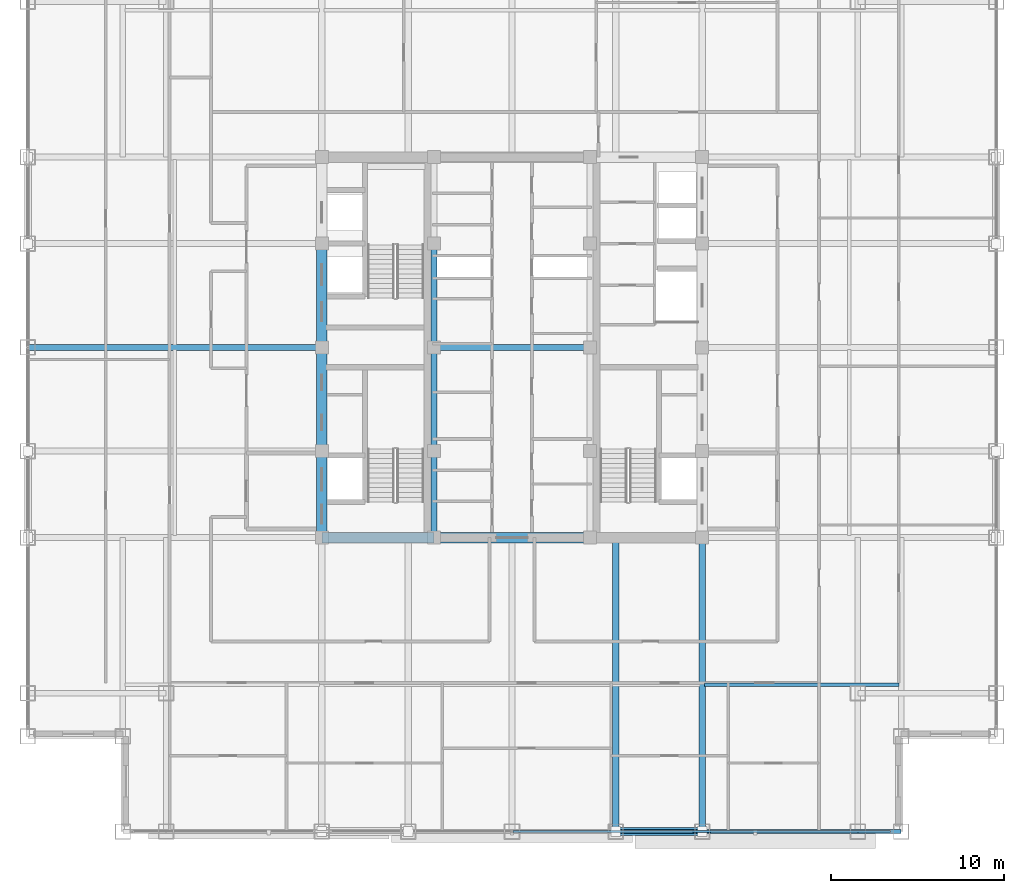
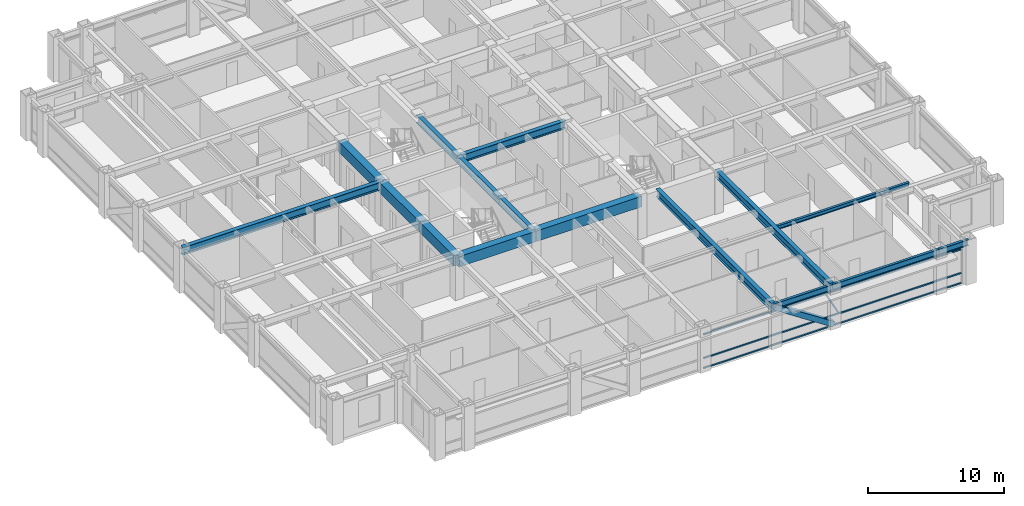
# One storey, part 7 of 27: 16 beams, 5 members, 1 element without a shape of its own.
"""IFC4 building model written with IfcOpenShell, lengths in metres."""

from ifc_helpers import new_model, si_unit, direction, frame, origin, origin_2d, place, context, subcontext, project, spatial, rectangle, hollow_rectangle, i_section, extrude, source, transform, mapped, material, material_profile, profile_set, type_object, element, aggregate, save


model = new_model("IFC4")

# Units and contexts
model_context = context("Model", 3, precision=1e-05, world=origin(), true_north=direction((0.0, 1.0)))
body_context = subcontext(model_context, "Body", "Model", "MODEL_VIEW")
ifc_project = project(units=[si_unit("LENGTHUNIT", "METRE"), si_unit("AREAUNIT", "SQUARE_METRE"), si_unit("VOLUMEUNIT", "CUBIC_METRE"), si_unit("PLANEANGLEUNIT", "RADIAN"), si_unit("MASSUNIT", "GRAM", prefix="KILO")], contexts=[model_context])

# Site, building, storey
site_placement = place(None, origin())
site = spatial("IfcSite", under=ifc_project, at=site_placement, CompositionType="ELEMENT")
building_placement = place(site_placement, origin())
building = spatial("IfcBuilding", under=site, at=building_placement, Name="Khorayat Bourse Tower", CompositionType="ELEMENT")
storey_placement = place(building_placement, frame((0.0, 0.0, 281.5)))
storey = spatial("IfcBuildingStorey", under=building, at=storey_placement, Name="L66", CompositionType="ELEMENT", Elevation=281.5)

# Beams
ifc_material_1 = material(Name="Steel ASTM A992 Grade 50", Category="steel")
ifc_material_profile_1 = material_profile(ifc_material_1, i_section(OverallWidth=0.35498046875, OverallDepth=0.695068359375, WebThickness=0.015380859375, FlangeThickness=0.02490234375, FilletRadius=0.01806640625, at=origin_2d()), Name="W690X217")
ifc_profile_set_1 = profile_set([ifc_material_profile_1], Name="Steel ASTM A992 Grade 50")
beam_type_1 = type_object("IfcBeamType", Name="BM-GIRD-690", PredefinedType="BEAM", material=ifc_profile_set_1)
shared_shape_1 = source(origin(), body_context, "Body", "SweptSolid", [
    extrude(i_section(OverallWidth=0.35498046875, OverallDepth=0.695068359375, WebThickness=0.015380859375, FlangeThickness=0.02490234375, FilletRadius=0.01806640625, at=origin_2d()), origin(), (0.0, 0.0, 1.0), 5.0),
])
beam_1_placement = place(storey_placement, frame((-4.5, -11.0, 3.4326171875), z_axis=(0.0, 1.0, 0.0), x_axis=(-1.0, 0.0, 0.0)))
element("IfcBeam", 1, at=beam_1_placement, inside=storey, type_object=beam_type_1, Name="L66 BM-GIRD-690 BM-L66-CRX-05", PredefinedType="BEAM", context=body_context, shape_type="MappedRepresentation", body=[
    mapped(shared_shape_1, transform((0.0, 0.0, 0.0), scale=1.0)),
])
shared_shape_2 = source(origin(), body_context, "Body", "SweptSolid", [
    extrude(i_section(OverallWidth=0.35498046875, OverallDepth=0.695068359375, WebThickness=0.015380859375, FlangeThickness=0.02490234375, FilletRadius=0.01806640625, at=origin_2d()), origin(), (0.0, 0.0, 1.0), 6.0),
])
for number, where, z_axis, x_axis, name in (
    (2, (-4.5, -6.0, 3.4326171875), (0.0, 1.0, 0.0), (-1.0, 0.0, 0.0), "L66 BM-GIRD-690 BM-L66-CRX-06"),
    (3, (-4.5, 0.0, 3.4326171875), (0.0, 1.0, 0.0), (-1.0, 0.0, 0.0), "L66 BM-GIRD-690 BM-L66-CRX-07"),
):
    element("IfcBeam", number, at=place(storey_placement, frame(where, z_axis=z_axis, x_axis=x_axis)), inside=storey, type_object=beam_type_1, Name=name, PredefinedType="BEAM", context=body_context, shape_type="MappedRepresentation", body=[
        mapped(shared_shape_2, transform((0.0, 0.0, 0.0), scale=1.0)),
    ])
shared_shape_3 = source(origin(), body_context, "Body", "SweptSolid", [
    extrude(i_section(OverallWidth=0.35498046875, OverallDepth=0.695068359375, WebThickness=0.015380859375, FlangeThickness=0.02490234375, FilletRadius=0.01806640625, at=origin_2d()), origin(), (0.0, 0.0, 1.0), 9.0),
])
beam_2_placement = place(storey_placement, frame((-4.5, 0.0, 3.4326171875), z_axis=(1.0, 0.0, 0.0), x_axis=(0.0, 1.0, 0.0)))
element("IfcBeam", 4, at=beam_2_placement, inside=storey, type_object=beam_type_1, Name="L66 BM-GIRD-690 BM-L66-CRY-23", PredefinedType="BEAM", context=body_context, shape_type="MappedRepresentation", body=[
    mapped(shared_shape_3, transform((0.0, 0.0, 0.0), scale=1.0)),
])
ifc_material_2 = material(Name="Concrete C60/75", Category="concrete")
ifc_material_profile_2 = material_profile(ifc_material_2, rectangle(XDim=0.60009765625, YDim=0.949951171875, at=origin_2d()), Name="RC 600x950")
ifc_profile_set_2 = profile_set([ifc_material_profile_2], Name="Concrete C60/75")
beam_type_2 = type_object("IfcBeamType", Name="BM-COUP-950", PredefinedType="BEAM", material=ifc_profile_set_2)
shared_shape_4 = source(origin(), body_context, "Body", "SweptSolid", [
    extrude(rectangle(XDim=0.60009765625, YDim=0.949951171875, at=origin_2d()), origin(), (0.0, 0.0, 1.0), 5.0),
])
beam_3_placement = place(storey_placement, frame((-11.0, -11.0, 3.304931640625), z_axis=(0.0, 1.0, 0.0), x_axis=(-1.0, 0.0, 0.0)))
element("IfcBeam", 5, at=beam_3_placement, inside=storey, type_object=beam_type_2, Name="L66 BM-COUP-950 BM-L66-CRX-01", PredefinedType="BEAM", context=body_context, shape_type="MappedRepresentation", body=[
    mapped(shared_shape_4, transform((0.0, 0.0, 0.0), scale=1.0)),
])
shared_shape_5 = source(origin(), body_context, "Body", "SweptSolid", [
    extrude(rectangle(XDim=0.60009765625, YDim=0.949951171875, at=origin_2d()), origin(), (0.0, 0.0, 1.0), 6.0),
])
for number, where, z_axis, x_axis, name in (
    (6, (-11.0, -6.0, 3.304931640625), (0.0, 1.0, 0.0), (-1.0, 0.0, 0.0), "L66 BM-COUP-950 BM-L66-CRX-02"),
    (7, (-11.0, 0.0, 3.304931640625), (0.0, 1.0, 0.0), (-1.0, 0.0, 0.0), "L66 BM-COUP-950 BM-L66-CRX-03"),
):
    element("IfcBeam", number, at=place(storey_placement, frame(where, z_axis=z_axis, x_axis=x_axis)), inside=storey, type_object=beam_type_2, Name=name, PredefinedType="BEAM", context=body_context, shape_type="MappedRepresentation", body=[
        mapped(shared_shape_5, transform((0.0, 0.0, 0.0), scale=1.0)),
    ])
shared_shape_6 = source(origin(), body_context, "Body", "SweptSolid", [
    extrude(rectangle(XDim=0.60009765625, YDim=0.949951171875, at=origin_2d()), origin(), (0.0, 0.0, 1.0), 6.5),
])
beam_4_placement = place(storey_placement, frame((-11.0, -11.0, 3.304931640625), z_axis=(1.0, 0.0, 0.0), x_axis=(0.0, 1.0, 0.0)))
element("IfcBeam", 8, at=beam_4_placement, inside=storey, type_object=beam_type_2, Name="L66 BM-COUP-950 BM-L66-CRY-17", PredefinedType="BEAM", context=body_context, shape_type="MappedRepresentation", body=[
    mapped(shared_shape_6, transform((0.0, 0.0, 0.0), scale=1.0)),
])
shared_shape_7 = source(origin(), body_context, "Body", "SweptSolid", [
    extrude(rectangle(XDim=0.60009765625, YDim=0.949951171875, at=origin_2d()), origin(), (0.0, 0.0, 1.0), 9.0),
])
beam_5_placement = place(storey_placement, frame((-4.5, -11.0, 3.304931640625), z_axis=(1.0, 0.0, 0.0), x_axis=(0.0, 1.0, 0.0)))
element("IfcBeam", 9, at=beam_5_placement, inside=storey, type_object=beam_type_2, Name="L66 BM-COUP-950 BM-L66-CRY-18", PredefinedType="BEAM", context=body_context, shape_type="MappedRepresentation", body=[
    mapped(shared_shape_7, transform((0.0, 0.0, 0.0), scale=1.0)),
])

# Member
ifc_material_3 = material(Name="Steel EN 10025-4 S460M", Category="steel")
ifc_material_profile_3 = material_profile(ifc_material_3, hollow_rectangle(XDim=0.449951171875, YDim=0.449951171875, WallThickness=0.02490234375, at=origin_2d()), Name="HSS 450x450x25")
ifc_profile_set_3 = profile_set([ifc_material_profile_3], Name="Steel EN 10025-4 S460M")
member_type_1 = type_object("IfcMemberType", Name="MBR-TUBE-450", PredefinedType="BRACE", material=ifc_profile_set_3)
shared_shape_8 = source(origin(), body_context, "Body", "SweptSolid", [
    extrude(hollow_rectangle(XDim=0.449951171875, YDim=0.449951171875, WallThickness=0.02490234375, at=origin_2d()), origin(), (0.0, 0.0, 1.0), 5.979736328125),
])
member_1_placement = place(storey_placement, frame((6.0, -28.0, 3.530029296875), z_axis=(0.836141536525, 0.0, -0.548513747227), x_axis=(0.0, 1.0, 0.0)))
element("IfcMember", 10, at=member_1_placement, inside=storey, type_object=member_type_1, Name="L66 Perimeter Tube Brace 02", PredefinedType="BRACE", context=body_context, shape_type="MappedRepresentation", body=[
    mapped(shared_shape_8, transform((0.0, 0.0, 0.0), scale=1.0)),
])

# Beams
shared_shape_9 = source(origin(), body_context, "Body", "SweptSolid", [
    extrude(i_section(OverallWidth=0.35498046875, OverallDepth=0.695068359375, WebThickness=0.015380859375, FlangeThickness=0.02490234375, FilletRadius=0.01806640625, at=origin_2d()), origin(), (0.0, 0.0, 1.0), 17.0),
])
for number, where, z_axis, x_axis, name in (
    (11, (6.0, -28.0, 3.4326171875), (0.0, 1.0, 0.0), (-1.0, 0.0, 0.0), "L66 BM-GIRD-690 BM-L66-RADY-071"),
    (12, (11.0, -28.0, 3.4326171875), (0.0, 1.0, 0.0), (-1.0, 0.0, 0.0), "L66 BM-GIRD-690 BM-L66-RADY-073"),
    (13, (-28.0, 0.0, 3.4326171875), (1.0, 0.0, 0.0), (0.0, 1.0, 0.0), "L66 BM-GIRD-690 BM-L66-RADX-079"),
):
    element("IfcBeam", number, at=place(storey_placement, frame(where, z_axis=z_axis, x_axis=x_axis)), inside=storey, type_object=beam_type_1, Name=name, PredefinedType="BEAM", context=body_context, shape_type="MappedRepresentation", body=[
        mapped(shared_shape_9, transform((0.0, 0.0, 0.0), scale=1.0)),
    ])
ifc_material_profile_4 = material_profile(ifc_material_1, i_section(OverallWidth=0.202880859375, OverallDepth=0.346923828125, WebThickness=0.0078125, FlangeThickness=0.013427734375, FilletRadius=0.010009765625, at=origin_2d()), Name="W360X64")
ifc_profile_set_4 = profile_set([ifc_material_profile_4], Name="Steel ASTM A992 Grade 50")
beam_type_3 = type_object("IfcBeamType", Name="BM-JOIST-360", PredefinedType="JOIST", material=ifc_profile_set_4)
shared_shape_10 = source(origin(), body_context, "Body", "SweptSolid", [
    extrude(i_section(OverallWidth=0.202880859375, OverallDepth=0.346923828125, WebThickness=0.0078125, FlangeThickness=0.013427734375, FilletRadius=0.010009765625, at=origin_2d()), origin(), (0.0, 0.0, 1.0), 11.240234375),
])
beam_6_placement = place(storey_placement, frame((11.1298828125, -19.5, 3.6064453125), z_axis=(1.0, 0.0, 0.0), x_axis=(0.0, 1.0, 0.0)))
element("IfcBeam", 14, at=beam_6_placement, inside=storey, type_object=beam_type_3, Name="L66 BM-JOIST-360 BM-L66-JSTX-098", PredefinedType="JOIST", context=body_context, shape_type="MappedRepresentation", body=[
    mapped(shared_shape_10, transform((0.0, 0.0, 0.0), scale=1.0)),
])
ifc_material_profile_5 = material_profile(ifc_material_1, i_section(OverallWidth=0.214111328125, OverallDepth=0.549072265625, WebThickness=0.0146484375, FlangeThickness=0.023681640625, FilletRadius=0.013916015625, at=origin_2d()), Name="W530X138")
ifc_profile_set_5 = profile_set([ifc_material_profile_5], Name="Steel ASTM A992 Grade 50")
beam_type_4 = type_object("IfcBeamType", Name="BM-SPAN-530", PredefinedType="SPANDREL", material=ifc_profile_set_5)
shared_shape_11 = source(origin(), body_context, "Body", "SweptSolid", [
    extrude(i_section(OverallWidth=0.214111328125, OverallDepth=0.549072265625, WebThickness=0.0146484375, FlangeThickness=0.023681640625, FilletRadius=0.013916015625, at=origin_2d()), origin(), (0.0, 0.0, 1.0), 2.5),
])
beam_7_placement = place(storey_placement, frame((20.0, -28.0, 3.505615234375), z_axis=(1.0, 0.0, 0.0), x_axis=(0.0, 1.0, 0.0)))
element("IfcBeam", 15, at=beam_7_placement, inside=storey, type_object=beam_type_4, Name="L66 BM-SPAN-530 BM-L66-SPN-031", PredefinedType="SPANDREL", context=body_context, shape_type="MappedRepresentation", body=[
    mapped(shared_shape_11, transform((0.0, 0.0, 0.0), scale=1.0)),
])
shared_shape_12 = source(origin(), body_context, "Body", "SweptSolid", [
    extrude(i_section(OverallWidth=0.214111328125, OverallDepth=0.549072265625, WebThickness=0.0146484375, FlangeThickness=0.023681640625, FilletRadius=0.013916015625, at=origin_2d()), origin(), (0.0, 0.0, 1.0), 9.0),
])
beam_8_placement = place(storey_placement, frame((11.0, -28.0, 3.505615234375), z_axis=(1.0, 0.0, 0.0), x_axis=(0.0, 1.0, 0.0)))
element("IfcBeam", 16, at=beam_8_placement, inside=storey, type_object=beam_type_4, Name="L66 BM-SPAN-530 BM-L66-SPN-030", PredefinedType="SPANDREL", context=body_context, shape_type="MappedRepresentation", body=[
    mapped(shared_shape_12, transform((0.0, 0.0, 0.0), scale=1.0)),
])
shared_shape_13 = source(origin(), body_context, "Body", "SweptSolid", [
    extrude(i_section(OverallWidth=0.214111328125, OverallDepth=0.549072265625, WebThickness=0.0146484375, FlangeThickness=0.023681640625, FilletRadius=0.013916015625, at=origin_2d()), origin(), (0.0, 0.0, 1.0), 5.0),
])
beam_9_placement = place(storey_placement, frame((6.0, -28.0, 3.505615234375), z_axis=(1.0, 0.0, 0.0), x_axis=(0.0, 1.0, 0.0)))
element("IfcBeam", 17, at=beam_9_placement, inside=storey, type_object=beam_type_4, Name="L66 BM-SPAN-530 BM-L66-SPN-029", PredefinedType="SPANDREL", context=body_context, shape_type="MappedRepresentation", body=[
    mapped(shared_shape_13, transform((0.0, 0.0, 0.0), scale=1.0)),
])

# Curtain wall, members
ifc_material_4 = material(Name="Aluminium EN AW-6063 T6", Category="aluminium")
curtain_wall_type = type_object("IfcCurtainWallType", Name="CW-SYS-04", PredefinedType="NOTDEFINED", material=ifc_material_4)
curtain_wall_placement = place(storey_placement, origin())
curtain_wall = element("IfcCurtainWall", 18, at=curtain_wall_placement, inside=storey, type_object=curtain_wall_type, Name="L66 Curtain Wall CW-L66-S1", PredefinedType="NOTDEFINED")
ifc_material_profile_6 = material_profile(ifc_material_4, hollow_rectangle(XDim=0.1201171875, YDim=0.1201171875, WallThickness=0.0048828125, at=origin_2d()), Name="ALU 120x120x5")
ifc_profile_set_6 = profile_set([ifc_material_profile_6], Name="Aluminium EN AW-6063 T6")
member_type_2 = type_object("IfcMemberType", Name="CWM-DIAG-120", PredefinedType="MULLION", material=ifc_profile_set_6)
shared_shape_14 = source(origin(), body_context, "Body", "SweptSolid", [
    extrude(hollow_rectangle(XDim=0.1201171875, YDim=0.1201171875, WallThickness=0.0048828125, at=origin_2d()), origin(), (0.0, 0.0, 1.0), 2.0791015625),
])
member_2_placement = place(storey_placement, frame((11.4541015625, -28.0, 1.090087890625), z_axis=(-0.465717394116, 0.0, 0.884933505309), x_axis=(0.0, -1.0, 0.0)))
member_2 = element("IfcMember", 19, at=member_2_placement, type_object=member_type_2, Name="CW-L66-S1 Faceted Diagonal Mullion 2", PredefinedType="MULLION", context=body_context, shape_type="MappedRepresentation", body=[
    mapped(shared_shape_14, transform((0.0, 0.0, 0.0), scale=1.0)),
])
ifc_material_profile_7 = material_profile(ifc_material_4, hollow_rectangle(XDim=0.1201171875, YDim=0.1201171875, WallThickness=0.0048828125, at=origin_2d()), Name="ALU 120x120x5")
ifc_profile_set_7 = profile_set([ifc_material_profile_7], Name="Aluminium EN AW-6063 T6")
member_type_3 = type_object("IfcMemberType", Name="CWT-HORZ-120", PredefinedType="USERDEFINED", material=ifc_profile_set_7)
shared_shape_15 = source(origin(), body_context, "Body", "SweptSolid", [
    extrude(hollow_rectangle(XDim=0.1201171875, YDim=0.1201171875, WallThickness=0.0048828125, at=origin_2d()), origin(), (0.0, 0.0, 1.0), 21.81982421875),
])
member_3_placement = place(storey_placement, frame((0.06005859375, -28.0, 0.06005859375), z_axis=(1.0, 0.0, 0.0), x_axis=(0.0, 1.0, 0.0)))
member_3 = element("IfcMember", 20, at=member_3_placement, type_object=member_type_3, Name="CW-L66-S1 Horizontal Transom 2-1", ObjectType="TRANSOM", PredefinedType="USERDEFINED", context=body_context, shape_type="MappedRepresentation", body=[
    mapped(shared_shape_15, transform((0.0, 0.0, 0.0), scale=1.0)),
])
member_4_placement = place(storey_placement, frame((0.06005859375, -28.0, 0.949951171875), z_axis=(1.0, 0.0, 0.0), x_axis=(0.0, 1.0, 0.0)))
member_4 = element("IfcMember", 21, at=member_4_placement, type_object=member_type_3, Name="CW-L66-S1 Horizontal Transom 2-2", ObjectType="TRANSOM", PredefinedType="USERDEFINED", context=body_context, shape_type="MappedRepresentation", body=[
    mapped(shared_shape_15, transform((0.0, 0.0, 0.0), scale=1.0)),
])
member_5_placement = place(storey_placement, frame((0.06005859375, -28.0, 3.070068359375), z_axis=(1.0, 0.0, 0.0), x_axis=(0.0, 1.0, 0.0)))
member_5 = element("IfcMember", 22, at=member_5_placement, type_object=member_type_3, Name="CW-L66-S1 Horizontal Transom 2-3", ObjectType="TRANSOM", PredefinedType="USERDEFINED", context=body_context, shape_type="MappedRepresentation", body=[
    mapped(shared_shape_15, transform((0.0, 0.0, 0.0), scale=1.0)),
])
aggregate(curtain_wall, [member_3, member_4, member_5, member_2])

save(model, "model.ifc")
